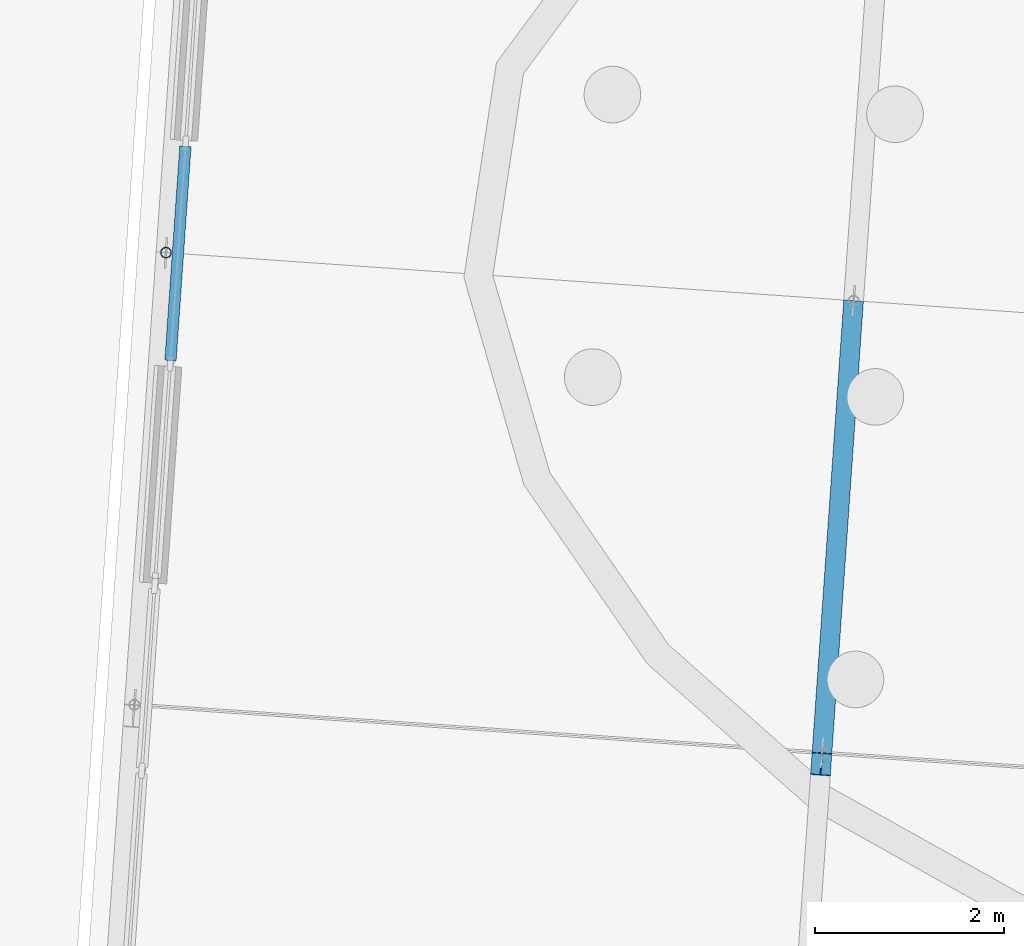
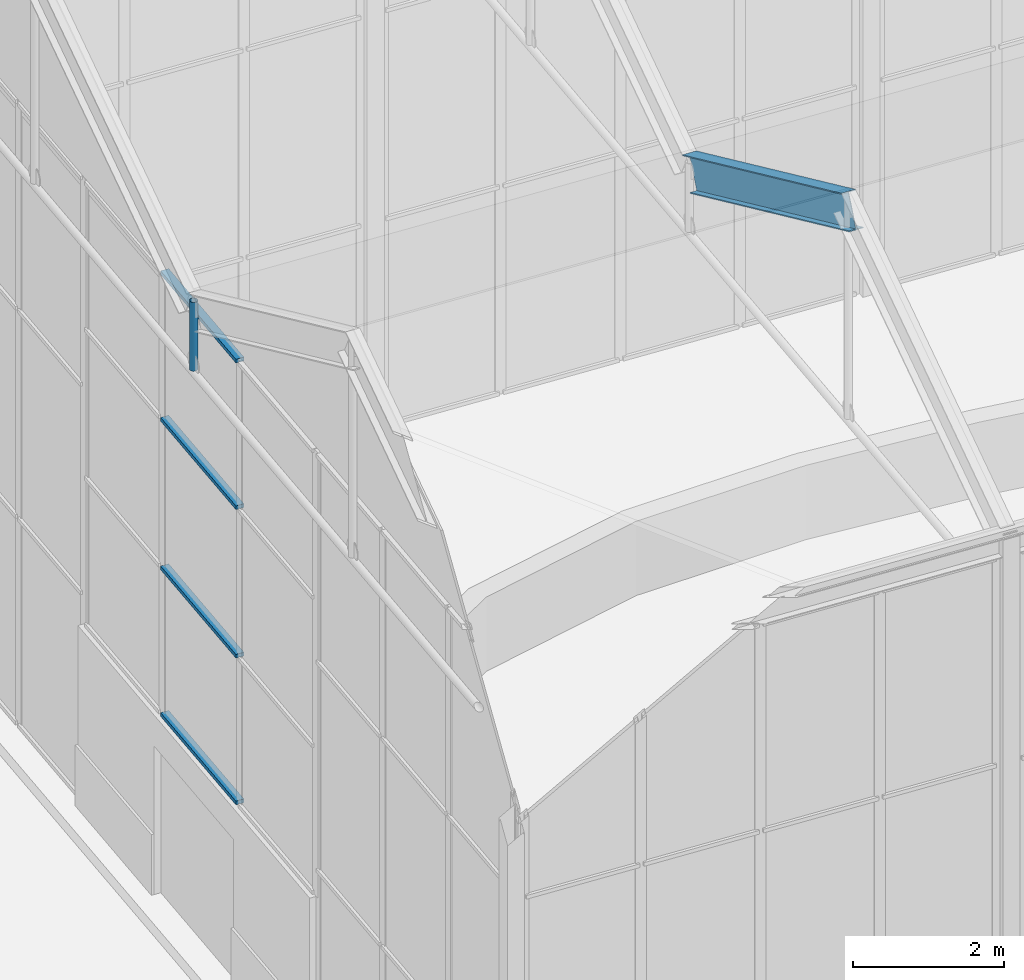
# One storey, part 39 of 157: 6 members, 1 element without a shape of its own.
"""IFC4 building model written with IfcOpenShell, lengths in metres."""

from ifc_helpers import new_model, si_unit, direction, frame, origin, origin_2d, place, context, subcontext, project, spatial, rectangle, hollow_circle, i_section, extrude, material, material_profile, profile_set, type_object, element, aggregate, save


model = new_model("IFC4")

# Units and contexts
model_context = context("Model", 3, precision=1e-05, world=origin(), true_north=direction((0.0, 1.0)))
body_context = subcontext(model_context, "Body", "Model", "MODEL_VIEW")
ifc_project = project(units=[si_unit("LENGTHUNIT", "METRE"), si_unit("AREAUNIT", "SQUARE_METRE"), si_unit("VOLUMEUNIT", "CUBIC_METRE"), si_unit("PLANEANGLEUNIT", "RADIAN"), si_unit("MASSUNIT", "GRAM", prefix="KILO")], contexts=[model_context])

# Site, building, storey
site_placement = place(None, origin())
site = spatial("IfcSite", under=ifc_project, at=site_placement, CompositionType="ELEMENT")
building_placement = place(site_placement, origin())
building = spatial("IfcBuilding", under=site, at=building_placement, Name="Windward Yard Aquatics Centre", CompositionType="ELEMENT")
storey_placement = place(building_placement, origin())
storey = spatial("IfcBuildingStorey", under=building, at=storey_placement, Name="L00", CompositionType="ELEMENT", Elevation=0.0)

# Member
ifc_material_1 = material(Name="Steel S355", Category="steel")
ifc_material_profile_1 = material_profile(ifc_material_1, hollow_circle(Radius=0.05712890625, WallThickness=0.006103515625, at=origin_2d()), Name="CHS114x6")
ifc_profile_set_1 = profile_set([ifc_material_profile_1], Name="Steel S355")
member_type_1 = type_object("IfcMemberType", Name="W CHS114x6 post", PredefinedType="POST", material=ifc_profile_set_1)
member_1_placement = place(storey_placement, frame((72.520751953125, 128.9599609375, 9.25), z_axis=(0.0, 0.0, 1.0), x_axis=(1.0, 0.0, 0.0)))
element("IfcMember", 1, at=member_1_placement, inside=storey, type_object=member_type_1, Name="W.HANG.1", PredefinedType="POST", context=body_context, shape_type="SweptSolid", body=[
    extrude(hollow_circle(Radius=0.05712890625, WallThickness=0.006103515625, at=origin_2d()), origin(), (0.0, 0.0, 1.0), 1.110107421875),
])

# Curtain wall, members
ifc_material_2 = material(Name="Aluminium curtain wall system", Category="aluminium")
curtain_wall_type = type_object("IfcCurtainWallType", Name="W curtain wall 1900", PredefinedType="NOTDEFINED", material=ifc_material_2)
curtain_wall_placement = place(storey_placement, origin())
curtain_wall = element("IfcCurtainWall", 2, at=curtain_wall_placement, inside=storey, type_object=curtain_wall_type, Name="Wing west glazing L00 3", PredefinedType="NOTDEFINED")
ifc_material_3 = material(Name="Aluminium transom", Category="aluminium")
ifc_material_profile_2 = material_profile(ifc_material_3, rectangle(XDim=0.1201171875, YDim=0.06005859375, at=origin_2d()), Name="AL 120x60")
ifc_profile_set_2 = profile_set([ifc_material_profile_2], Name="Aluminium transom")
member_type_2 = type_object("IfcMemberType", Name="W CW transom 120x60", PredefinedType="USERDEFINED", material=ifc_profile_set_2)
member_2_placement = place(storey_placement, frame((72.568359375, 127.817138671875, 2.929931640625), z_axis=(0.069697678519, 0.997568159881, 0.0), x_axis=(-0.997568159881, 0.069697678519, 0.0)))
member_2 = element("IfcMember", 3, at=member_2_placement, type_object=member_type_2, Name="WCW1 transom 2.1", ObjectType="TRANSOM", PredefinedType="USERDEFINED", context=body_context, shape_type="SweptSolid", body=[
    extrude(rectangle(XDim=0.1201171875, YDim=0.06005859375, at=origin_2d()), origin(), (0.0, 0.0, 1.0), 2.2734375),
])
member_3_placement = place(storey_placement, frame((72.568359375, 127.817138671875, 5.29931640625), z_axis=(0.069697678519, 0.997568159881, 0.0), x_axis=(-0.997568159881, 0.069697678519, 0.0)))
member_3 = element("IfcMember", 4, at=member_3_placement, type_object=member_type_2, Name="WCW1 transom 2.2", ObjectType="TRANSOM", PredefinedType="USERDEFINED", context=body_context, shape_type="SweptSolid", body=[
    extrude(rectangle(XDim=0.1201171875, YDim=0.06005859375, at=origin_2d()), origin(), (0.0, 0.0, 1.0), 2.2734375),
])
member_4_placement = place(storey_placement, frame((72.568359375, 127.817138671875, 7.69873046875), z_axis=(0.069697678519, 0.997568159881, 0.0), x_axis=(-0.997568159881, 0.069697678519, 0.0)))
member_4 = element("IfcMember", 5, at=member_4_placement, type_object=member_type_2, Name="WCW1 transom 2.3", ObjectType="TRANSOM", PredefinedType="USERDEFINED", context=body_context, shape_type="SweptSolid", body=[
    extrude(rectangle(XDim=0.1201171875, YDim=0.06005859375, at=origin_2d()), origin(), (0.0, 0.0, 1.0), 2.2734375),
])
member_5_placement = place(storey_placement, frame((72.568359375, 127.817138671875, 10.068115234375), z_axis=(0.069697678519, 0.997568159881, 0.0), x_axis=(-0.997568159881, 0.069697678519, 0.0)))
member_5 = element("IfcMember", 6, at=member_5_placement, type_object=member_type_2, Name="WCW1 transom 2.4", ObjectType="TRANSOM", PredefinedType="USERDEFINED", context=body_context, shape_type="SweptSolid", body=[
    extrude(rectangle(XDim=0.1201171875, YDim=0.06005859375, at=origin_2d()), origin(), (0.0, 0.0, 1.0), 2.2734375),
])
aggregate(curtain_wall, [member_2, member_3, member_4, member_5])

# Member
ifc_material_profile_3 = material_profile(ifc_material_1, i_section(OverallWidth=0.208984375, OverallDepth=0.532958984375, WebThickness=0.01025390625, FlangeThickness=0.015625, at=origin_2d()), Name="W530x92")
ifc_profile_set_3 = profile_set([ifc_material_profile_3], Name="Steel S355")
member_type_3 = type_object("IfcMemberType", Name="W W530x92 rafter", PredefinedType="RAFTER", material=ifc_profile_set_3)
member_6_placement = place(storey_placement, frame((79.4599609375, 123.54345703125, 12.66162109375), z_axis=(0.062371148263, 0.892257717645, -0.447197948527), x_axis=(-0.997565729611, 0.069732453745, 0.0)))
element("IfcMember", 7, at=member_6_placement, inside=storey, type_object=member_type_3, Name="W.RAF.2.2", PredefinedType="RAFTER", context=body_context, shape_type="SweptSolid", body=[
    extrude(i_section(OverallWidth=0.208984375, OverallDepth=0.532958984375, WebThickness=0.01025390625, FlangeThickness=0.015625, at=origin_2d()), origin(), (0.0, 0.0, 1.0), 5.366455078125),
])

save(model, "model.ifc")
